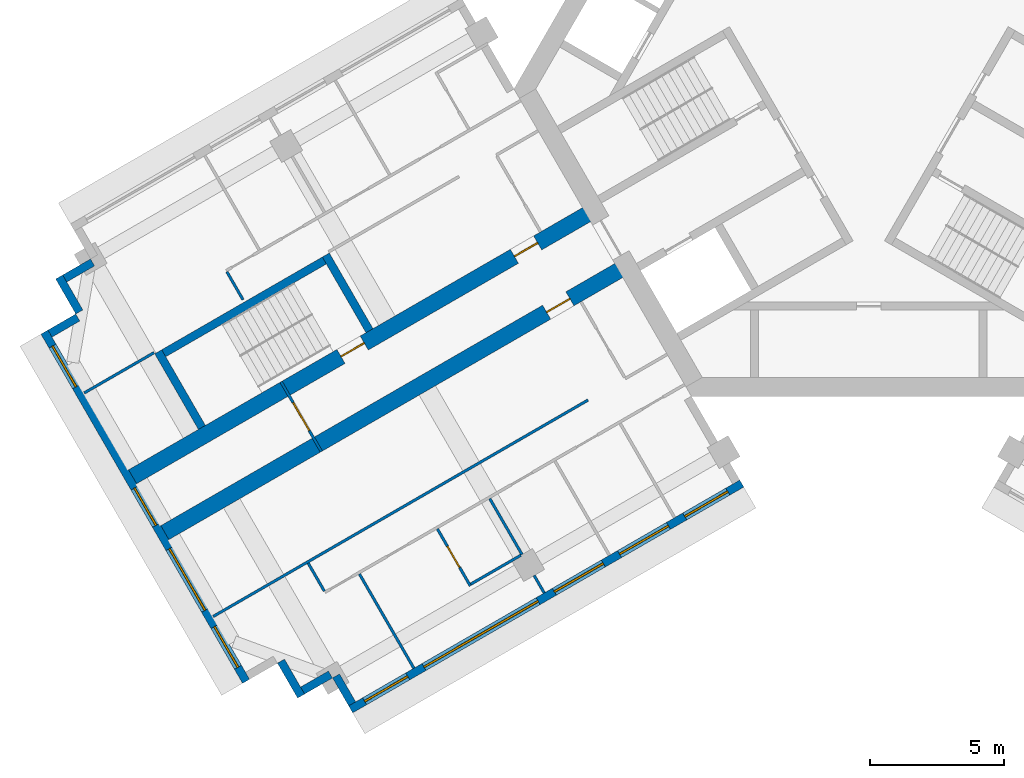
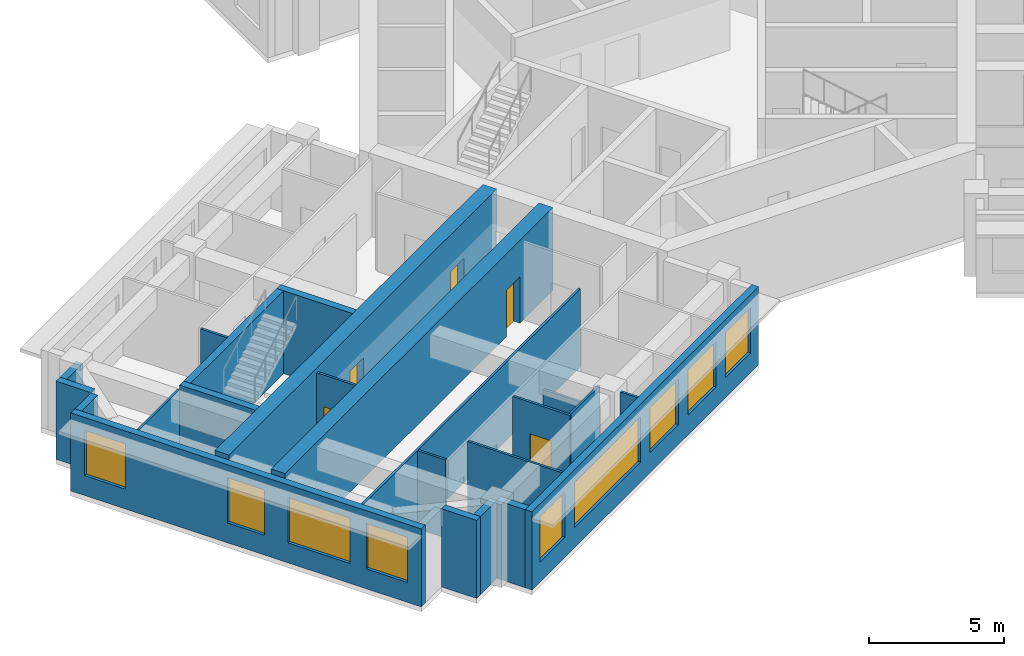
# One storey, part 2 of 10: 23 walls, 9 windows, 5 doors, 14 openings.
"""IFC4 building model written with IfcOpenShell, lengths in metres."""

from ifc_helpers import new_model, si_unit, direction, frame, frame_2d, origin, place, context, subcontext, project, spatial, rectangle, extrude, material, layer, layer_set, type_object, element, fill, save


model = new_model("IFC4")

# Units and contexts
model_context = context("Model", 3, precision=1e-05, world=origin(), true_north=direction((0.0, 1.0)))
body_context = subcontext(model_context, "Body", "Model", "MODEL_VIEW")
ifc_project = project(units=[si_unit("LENGTHUNIT", "METRE"), si_unit("AREAUNIT", "SQUARE_METRE"), si_unit("VOLUMEUNIT", "CUBIC_METRE"), si_unit("PLANEANGLEUNIT", "RADIAN"), si_unit("MASSUNIT", "GRAM", prefix="KILO")], contexts=[model_context])

# Site, building, storey
site_placement = place(None, origin())
site = spatial("IfcSite", under=ifc_project, at=site_placement, CompositionType="ELEMENT")
building_placement = place(site_placement, origin())
building = spatial("IfcBuilding", under=site, at=building_placement, Name="Impinga Residences", CompositionType="ELEMENT")
storey_placement = place(building_placement, frame((0.0, 0.0, 259.75)))
storey = spatial("IfcBuildingStorey", under=building, at=storey_placement, Name="L65", CompositionType="ELEMENT", Elevation=259.75)

# Wall, opening, door
ifc_material_1 = material(Name="Concrete C60/75", Category="concrete")
ifc_layer_1 = layer(ifc_material_1, 0.60009765625)
ifc_layer_set_1 = layer_set([ifc_layer_1], Name="Concrete C60/75")
wall_type_1 = type_object("IfcWallType", Name="BW3 corridor buttress wall, L46 to L73 600", PredefinedType="SHEAR", material=ifc_layer_set_1)
wall_1_placement = place(storey_placement, frame((-8.996826171875, -6.580078125, 0.0), z_axis=(0.0, 0.0, 1.0), x_axis=(-0.866030540451, -0.499991102927, 0.0)))
wall_1 = element("IfcWall", 1, at=wall_1_placement, inside=storey, type_object=wall_type_1, Name="Corridor wall BW3 WC L65", PredefinedType="SHEAR", context=body_context, shape_type="SweptSolid", body=[
    extrude(rectangle(XDim=19.849853515625, YDim=0.60009765625, at=frame_2d((9.9248046875, 0.0))), origin(), (0.0, 0.0, 1.0), 3.75),
])
opening_1_placement = place(wall_1_placement, frame((2.449951171875, 0.0, 0.0)))
opening_1 = element("IfcOpeningElement", 2, at=opening_1_placement, cuts=wall_1, Name="Opening D1", PredefinedType="OPENING", context=body_context, shape_type="SweptSolid", body=[
    extrude(rectangle(XDim=1.0, YDim=2.10009765625, at=frame_2d((0.5, 1.050048828125))), frame((0.0, 0.31005859375, 0.0), z_axis=(0.0, -1.0, 0.0), x_axis=(1.0, 0.0, 0.0)), (0.0, 0.0, 1.0), 0.6201171875),
])
ifc_material_2 = material(Name="Timber door set", Category="wood")
door_type_1 = type_object("IfcDoorType", Name="D1 apartment entrance door 1000x2100", OperationType="SINGLE_SWING_LEFT", PredefinedType="DOOR", material=ifc_material_2)
door_1_placement = place(opening_1_placement, origin())
door_1 = element("IfcDoor", 3, at=door_1_placement, inside=storey, type_object=door_type_1, Name="Apartment L65-WA1 entrance", OperationType="SINGLE_SWING_LEFT", OverallHeight=2.10009765625, OverallWidth=1.0, PredefinedType="DOOR", context=body_context, shape_type="SweptSolid", body=[
    extrude(rectangle(XDim=1.0, YDim=2.10009765625, at=frame_2d((0.5, 1.050048828125))), frame((0.0, 0.02490234375, 0.0), z_axis=(0.0, -1.0, 0.0), x_axis=(1.0, 0.0, 0.0)), (0.0, 0.0, 1.0), 0.050048828125),
])
fill(opening_1, door_1)

# Wall, openings, doors
wall_2_placement = place(storey_placement, frame((-10.19677734375, -4.50146484375, 0.0), z_axis=(0.0, 0.0, 1.0), x_axis=(-0.866025214745, -0.500000327426, 0.0)))
wall_2 = element("IfcWall", 4, at=wall_2_placement, inside=storey, type_object=wall_type_1, Name="Corridor wall BW3 WD L65", PredefinedType="SHEAR", context=body_context, shape_type="SweptSolid", body=[
    extrude(rectangle(XDim=19.85009765625, YDim=0.60009765625, at=frame_2d((9.925048828125, 0.0))), origin(), (0.0, 0.0, 1.0), 3.75),
])
opening_2_placement = place(wall_2_placement, frame((9.89990234375, 0.0, 0.0)))
opening_2 = element("IfcOpeningElement", 5, at=opening_2_placement, cuts=wall_2, Name="Opening D5", PredefinedType="OPENING", context=body_context, shape_type="SweptSolid", body=[
    extrude(rectangle(XDim=1.0, YDim=2.10009765625, at=frame_2d((0.5, 1.050048828125))), frame((0.0, 0.31005859375, 0.0), z_axis=(0.0, -1.0, 0.0), x_axis=(1.0, 0.0, 0.0)), (0.0, 0.0, 1.0), 0.6201171875),
])
opening_3_placement = place(wall_2_placement, frame((2.449951171875, 0.0, 0.0)))
opening_3 = element("IfcOpeningElement", 6, at=opening_3_placement, cuts=wall_2, Name="Opening D1", PredefinedType="OPENING", context=body_context, shape_type="SweptSolid", body=[
    extrude(rectangle(XDim=1.0, YDim=2.10009765625, at=frame_2d((0.5, 1.050048828125))), frame((0.0, 0.31005859375, 0.0), z_axis=(0.0, -1.0, 0.0), x_axis=(1.0, 0.0, 0.0)), (0.0, 0.0, 1.0), 0.6201171875),
])
door_2_placement = place(opening_3_placement, origin())
door_2 = element("IfcDoor", 7, at=door_2_placement, inside=storey, type_object=door_type_1, Name="Apartment L65-WF1 entrance", OperationType="SINGLE_SWING_LEFT", OverallHeight=2.10009765625, OverallWidth=1.0, PredefinedType="DOOR", context=body_context, shape_type="SweptSolid", body=[
    extrude(rectangle(XDim=1.0, YDim=2.10009765625, at=frame_2d((0.5, 1.050048828125))), frame((0.0, 0.02490234375, 0.0), z_axis=(0.0, -1.0, 0.0), x_axis=(1.0, 0.0, 0.0)), (0.0, 0.0, 1.0), 0.050048828125),
])
fill(opening_3, door_2)
door_type_2 = type_object("IfcDoorType", Name="D5 stair door 1000x2100", OperationType="SINGLE_SWING_LEFT", PredefinedType="DOOR", material=ifc_material_2)
door_3_placement = place(opening_2_placement, origin())
door_3 = element("IfcDoor", 8, at=door_3_placement, inside=storey, type_object=door_type_2, Name="Wing stair door W", OperationType="SINGLE_SWING_RIGHT", OverallHeight=2.10009765625, OverallWidth=1.0, PredefinedType="DOOR", context=body_context, shape_type="SweptSolid", body=[
    extrude(rectangle(XDim=1.0, YDim=2.10009765625, at=frame_2d((0.5, 1.050048828125))), frame((0.0, 0.02490234375, 0.0), z_axis=(0.0, -1.0, 0.0), x_axis=(1.0, 0.0, 0.0)), (0.0, 0.0, 1.0), 0.050048828125),
])
fill(opening_2, door_3)

# Wall, opening, door
ifc_material_3 = material(Name="Concrete blockwork", Category="masonry")
ifc_layer_2 = layer(ifc_material_3, 0.10009765625)
ifc_layer_set_2 = layer_set([ifc_layer_2], Name="CP1 core room partition, blockwork 100")
wall_type_2 = type_object("IfcWallType", Name="CP1 core room partition, blockwork 100", PredefinedType="PARTITIONING", material=ifc_layer_set_2)
wall_3_placement = place(storey_placement, frame((-20.364990234375, -13.48974609375, 0.0), z_axis=(0.0, 0.0, 1.0), x_axis=(-0.50002537861, 0.866010750942, 0.0)))
wall_3 = element("IfcWall", 9, at=wall_3_placement, inside=storey, type_object=wall_type_2, Name="Core room partition, blockwork L65:W:LNG", PredefinedType="PARTITIONING", context=body_context, shape_type="SweptSolid", body=[
    extrude(rectangle(XDim=2.999755859375, YDim=0.10009765625, at=frame_2d((1.5, 0.0))), origin(), (0.0, 0.0, 1.0), 3.530029296875),
])
opening_4_placement = place(wall_3_placement, frame((0.89990234375, 0.0, 0.0)))
opening_4 = element("IfcOpeningElement", 10, at=opening_4_placement, cuts=wall_3, Name="Opening D3", PredefinedType="OPENING", context=body_context, shape_type="SweptSolid", body=[
    extrude(rectangle(XDim=1.199951171875, YDim=2.10009765625, at=frame_2d((0.60009765625, 1.050048828125))), frame((0.0, 0.06005859375, 0.0), z_axis=(0.0, -1.0, 0.0), x_axis=(1.0, 0.0, 0.0)), (0.0, 0.0, 1.0), 0.1201171875),
])
door_type_3 = type_object("IfcDoorType", Name="D3 room door, leaf and a half 1200x2100", OperationType="DOUBLE_SWING_LEFT", PredefinedType="DOOR", material=ifc_material_2)
door_4_placement = place(opening_4_placement, origin())
door_4 = element("IfcDoor", 11, at=door_4_placement, inside=storey, type_object=door_type_3, Name="Residents' lounge door W", OperationType="DOUBLE_SWING_LEFT", OverallHeight=2.10009765625, OverallWidth=1.199951171875, PredefinedType="DOOR", context=body_context, shape_type="SweptSolid", body=[
    extrude(rectangle(XDim=1.199951171875, YDim=2.10009765625, at=frame_2d((0.60009765625, 1.050048828125))), frame((0.0, 0.02490234375, 0.0), z_axis=(0.0, -1.0, 0.0), x_axis=(1.0, 0.0, 0.0)), (0.0, 0.0, 1.0), 0.050048828125),
])
fill(opening_4, door_4)

# Walls
ifc_material_4 = material(Name="Terracotta rainscreen on blockwork", Category="masonry")
ifc_layer_3 = layer(ifc_material_4, 0.300048828125)
ifc_layer_set_3 = layer_set([ifc_layer_3], Name="EW1 external wall, terracotta rainscreen on blockwork 300")
wall_type_3 = type_object("IfcWallType", Name="EW1 external wall, terracotta rainscreen on blockwork 300", PredefinedType="SOLIDWALL", material=ifc_layer_set_3)
wall_4_placement = place(storey_placement, frame((-19.21923828125, -22.874267578125, 0.0), z_axis=(0.0, 0.0, 1.0), x_axis=(-0.500033551112, 0.866006032174, 0.0)))
element("IfcWall", 12, at=wall_4_placement, inside=storey, type_object=wall_type_3, Name="External wall EW1 L65", PredefinedType="SOLIDWALL", context=body_context, shape_type="SweptSolid", body=[
    extrude(rectangle(XDim=1.2001953125, YDim=0.300048828125, at=frame_2d((0.60009765625, 0.0))), origin(), (0.0, 0.0, 1.0), 3.530029296875),
])
wall_5_placement = place(storey_placement, frame((-20.028564453125, -21.782470703125, 0.0), z_axis=(0.0, 0.0, 1.0), x_axis=(-0.865971243484, -0.500093796661, 0.0)))
element("IfcWall", 13, at=wall_5_placement, inside=storey, type_object=wall_type_3, Name="External wall EW1 L65", PredefinedType="SOLIDWALL", context=body_context, shape_type="SweptSolid", body=[
    extrude(rectangle(XDim=1.195068359375, YDim=0.300048828125, at=frame_2d((0.59765625, 0.0))), origin(), (0.0, 0.0, 1.0), 3.530029296875),
])
wall_6_placement = place(storey_placement, frame((-21.118408203125, -22.5849609375, 0.0), z_axis=(0.0, 0.0, 1.0), x_axis=(-0.499990139034, 0.866031096941, 0.0)))
element("IfcWall", 14, at=wall_6_placement, inside=storey, type_object=wall_type_3, Name="External wall EW1 L65", PredefinedType="SOLIDWALL", context=body_context, shape_type="SweptSolid", body=[
    extrude(rectangle(XDim=1.5, YDim=0.300048828125, at=frame_2d((0.75, 0.0))), origin(), (0.0, 0.0, 1.0), 3.530029296875),
])

# Wall, openings, windows
wall_7_placement = place(storey_placement, frame((-23.16748046875, -22.035888671875, 0.0), z_axis=(0.0, 0.0, 1.0), x_axis=(-0.500004234368, 0.866022959057, 0.0)))
wall_7 = element("IfcWall", 15, at=wall_7_placement, inside=storey, type_object=wall_type_3, Name="External wall EW1 L65", PredefinedType="SOLIDWALL", context=body_context, shape_type="SweptSolid", body=[
    extrude(rectangle(XDim=14.999755859375, YDim=0.300048828125, at=frame_2d((7.5, 0.0))), origin(), (0.0, 0.0, 1.0), 3.530029296875),
])
opening_5_placement = place(wall_7_placement, frame((0.60009765625, 0.0, 0.89990234375)))
opening_5 = element("IfcOpeningElement", 16, at=opening_5_placement, cuts=wall_7, Name="Opening W1", PredefinedType="OPENING", context=body_context, shape_type="SweptSolid", body=[
    extrude(rectangle(XDim=1.75, YDim=2.050048828125, at=frame_2d((0.875, 1.02490234375))), frame((0.0, 0.159912109375, 0.0), z_axis=(0.0, -1.0, 0.0), x_axis=(1.0, 0.0, 0.0)), (0.0, 0.0, 1.0), 0.320068359375),
])
opening_6_placement = place(wall_7_placement, frame((3.050048828125, 0.0, 0.89990234375)))
opening_6 = element("IfcOpeningElement", 17, at=opening_6_placement, cuts=wall_7, Name="Opening W18", PredefinedType="OPENING", context=body_context, shape_type="SweptSolid", body=[
    extrude(rectangle(XDim=2.64990234375, YDim=2.050048828125, at=frame_2d((1.324951171875, 1.02490234375))), frame((0.0, 0.159912109375, 0.0), z_axis=(0.0, -1.0, 0.0), x_axis=(1.0, 0.0, 0.0)), (0.0, 0.0, 1.0), 0.320068359375),
])
opening_7_placement = place(wall_7_placement, frame((6.699951171875, 0.0, 0.89990234375)))
opening_7 = element("IfcOpeningElement", 18, at=opening_7_placement, cuts=wall_7, Name="Opening W19", PredefinedType="OPENING", context=body_context, shape_type="SweptSolid", body=[
    extrude(rectangle(XDim=1.60009765625, YDim=2.050048828125, at=frame_2d((0.800048828125, 1.02490234375))), frame((0.0, 0.159912109375, 0.0), z_axis=(0.0, -1.0, 0.0), x_axis=(1.0, 0.0, 0.0)), (0.0, 0.0, 1.0), 0.320068359375),
])
opening_8_placement = place(wall_7_placement, frame((12.64990234375, 0.0, 0.89990234375)))
opening_8 = element("IfcOpeningElement", 19, at=opening_8_placement, cuts=wall_7, Name="Opening W1", PredefinedType="OPENING", context=body_context, shape_type="SweptSolid", body=[
    extrude(rectangle(XDim=1.75, YDim=2.050048828125, at=frame_2d((0.875, 1.02490234375))), frame((0.0, 0.159912109375, 0.0), z_axis=(0.0, -1.0, 0.0), x_axis=(1.0, 0.0, 0.0)), (0.0, 0.0, 1.0), 0.320068359375),
])
ifc_material_5 = material(Name="Aluminium window, clear double glazing", Category="aluminium")
window_type_1 = type_object("IfcWindowType", Name="W1 ribbon window 1750x2050", PartitioningType="SINGLE_PANEL", PredefinedType="WINDOW", material=ifc_material_5)
window_1_placement = place(opening_5_placement, origin())
window_1 = element("IfcWindow", 20, at=window_1_placement, inside=storey, type_object=window_type_1, Name="Window L65", OverallHeight=2.050048828125, OverallWidth=1.75, PartitioningType="SINGLE_PANEL", PredefinedType="WINDOW", context=body_context, shape_type="SweptSolid", body=[
    extrude(rectangle(XDim=1.75, YDim=2.050048828125, at=frame_2d((0.875, 1.02490234375))), frame((0.0, 0.030029296875, 0.0), z_axis=(0.0, -1.0, 0.0), x_axis=(1.0, 0.0, 0.0)), (0.0, 0.0, 1.0), 0.06005859375),
])
fill(opening_5, window_1)
window_2_placement = place(opening_8_placement, origin())
window_2 = element("IfcWindow", 21, at=window_2_placement, inside=storey, type_object=window_type_1, Name="Window L65", OverallHeight=2.050048828125, OverallWidth=1.75, PartitioningType="SINGLE_PANEL", PredefinedType="WINDOW", context=body_context, shape_type="SweptSolid", body=[
    extrude(rectangle(XDim=1.75, YDim=2.050048828125, at=frame_2d((0.875, 1.02490234375))), frame((0.0, 0.030029296875, 0.0), z_axis=(0.0, -1.0, 0.0), x_axis=(1.0, 0.0, 0.0)), (0.0, 0.0, 1.0), 0.06005859375),
])
fill(opening_8, window_2)
window_type_2 = type_object("IfcWindowType", Name="W18 ribbon window 2650x2050", PartitioningType="SINGLE_PANEL", PredefinedType="WINDOW", material=ifc_material_5)
window_3_placement = place(opening_6_placement, origin())
window_3 = element("IfcWindow", 22, at=window_3_placement, inside=storey, type_object=window_type_2, Name="Window L65", OverallHeight=2.050048828125, OverallWidth=2.64990234375, PartitioningType="SINGLE_PANEL", PredefinedType="WINDOW", context=body_context, shape_type="SweptSolid", body=[
    extrude(rectangle(XDim=2.64990234375, YDim=2.050048828125, at=frame_2d((1.324951171875, 1.02490234375))), frame((0.0, 0.030029296875, 0.0), z_axis=(0.0, -1.0, 0.0), x_axis=(1.0, 0.0, 0.0)), (0.0, 0.0, 1.0), 0.06005859375),
])
fill(opening_6, window_3)
window_type_3 = type_object("IfcWindowType", Name="W19 ribbon window 1600x2050", PartitioningType="SINGLE_PANEL", PredefinedType="WINDOW", material=ifc_material_5)
window_4_placement = place(opening_7_placement, origin())
window_4 = element("IfcWindow", 23, at=window_4_placement, inside=storey, type_object=window_type_3, Name="Window L65", OverallHeight=2.050048828125, OverallWidth=1.60009765625, PartitioningType="SINGLE_PANEL", PredefinedType="WINDOW", context=body_context, shape_type="SweptSolid", body=[
    extrude(rectangle(XDim=1.60009765625, YDim=2.050048828125, at=frame_2d((0.800048828125, 1.02490234375))), frame((0.0, 0.030029296875, 0.0), z_axis=(0.0, -1.0, 0.0), x_axis=(1.0, 0.0, 0.0)), (0.0, 0.0, 1.0), 0.06005859375),
])
fill(opening_7, window_4)

# Walls
wall_8_placement = place(storey_placement, frame((-30.46240234375, -9.1005859375, 0.0), z_axis=(0.0, 0.0, 1.0), x_axis=(0.865971243484, 0.500093796661, 0.0)))
element("IfcWall", 24, at=wall_8_placement, inside=storey, type_object=wall_type_3, Name="External wall EW1 L65", PredefinedType="SOLIDWALL", context=body_context, shape_type="SweptSolid", body=[
    extrude(rectangle(XDim=1.195068359375, YDim=0.300048828125, at=frame_2d((0.59765625, 0.0))), origin(), (0.0, 0.0, 1.0), 3.530029296875),
])
wall_9_placement = place(storey_placement, frame((-29.368408203125, -8.295654296875, 0.0), z_axis=(0.0, 0.0, 1.0), x_axis=(-0.499990139034, 0.866031096941, 0.0)))
element("IfcWall", 25, at=wall_9_placement, inside=storey, type_object=wall_type_3, Name="External wall EW1 L65", PredefinedType="SOLIDWALL", context=body_context, shape_type="SweptSolid", body=[
    extrude(rectangle(XDim=1.5, YDim=0.300048828125, at=frame_2d((0.75, 0.0))), origin(), (0.0, 0.0, 1.0), 3.530029296875),
])
wall_10_placement = place(storey_placement, frame((-29.91357421875, -7.051513671875, 0.0), z_axis=(0.0, 0.0, 1.0), x_axis=(0.865971243484, 0.500093796661, 0.0)))
element("IfcWall", 26, at=wall_10_placement, inside=storey, type_object=wall_type_3, Name="External wall EW1 L65", PredefinedType="SOLIDWALL", context=body_context, shape_type="SweptSolid", body=[
    extrude(rectangle(XDim=1.195068359375, YDim=0.300048828125, at=frame_2d((0.59765625, 0.0))), origin(), (0.0, 0.0, 1.0), 3.530029296875),
])

# Wall, openings, windows
wall_11_placement = place(storey_placement, frame((-4.72509765625, -14.67919921875, 0.0), z_axis=(0.0, 0.0, 1.0), x_axis=(-0.86602562146, -0.499999622975, 0.0)))
wall_11 = element("IfcWall", 27, at=wall_11_placement, inside=storey, type_object=wall_type_3, Name="External wall EW1 L65", PredefinedType="SOLIDWALL", context=body_context, shape_type="SweptSolid", body=[
    extrude(rectangle(XDim=16.7998046875, YDim=0.300048828125, at=frame_2d((8.39990234375, 0.0))), origin(), (0.0, 0.0, 1.0), 3.530029296875),
])
opening_9_placement = place(wall_11_placement, frame((0.60009765625, 0.0, 0.89990234375)))
opening_9 = element("IfcOpeningElement", 28, at=opening_9_placement, cuts=wall_11, Name="Opening W15", PredefinedType="OPENING", context=body_context, shape_type="SweptSolid", body=[
    extrude(rectangle(XDim=1.85009765625, YDim=2.050048828125, at=frame_2d((0.925048828125, 1.02490234375))), frame((0.0, 0.159912109375, 0.0), z_axis=(0.0, -1.0, 0.0), x_axis=(1.0, 0.0, 0.0)), (0.0, 0.0, 1.0), 0.320068359375),
])
opening_10_placement = place(wall_11_placement, frame((3.14990234375, 0.0, 0.89990234375)))
opening_10 = element("IfcOpeningElement", 29, at=opening_10_placement, cuts=wall_11, Name="Opening W9", PredefinedType="OPENING", context=body_context, shape_type="SweptSolid", body=[
    extrude(rectangle(XDim=2.10009765625, YDim=2.050048828125, at=frame_2d((1.050048828125, 1.02490234375))), frame((0.0, 0.159912109375, 0.0), z_axis=(0.0, -1.0, 0.0), x_axis=(1.0, 0.0, 0.0)), (0.0, 0.0, 1.0), 0.320068359375),
])
opening_11_placement = place(wall_11_placement, frame((5.949951171875, 0.0, 0.89990234375)))
opening_11 = element("IfcOpeningElement", 30, at=opening_11_placement, cuts=wall_11, Name="Opening W9", PredefinedType="OPENING", context=body_context, shape_type="SweptSolid", body=[
    extrude(rectangle(XDim=2.10009765625, YDim=2.050048828125, at=frame_2d((1.050048828125, 1.02490234375))), frame((0.0, 0.159912109375, 0.0), z_axis=(0.0, -1.0, 0.0), x_axis=(1.0, 0.0, 0.0)), (0.0, 0.0, 1.0), 0.320068359375),
])
opening_12_placement = place(wall_11_placement, frame((8.75, 0.0, 0.89990234375)))
opening_12 = element("IfcOpeningElement", 31, at=opening_12_placement, cuts=wall_11, Name="Opening W16", PredefinedType="OPENING", context=body_context, shape_type="SweptSolid", body=[
    extrude(rectangle(XDim=4.89990234375, YDim=2.050048828125, at=frame_2d((2.449951171875, 1.02490234375))), frame((0.0, 0.159912109375, 0.0), z_axis=(0.0, -1.0, 0.0), x_axis=(1.0, 0.0, 0.0)), (0.0, 0.0, 1.0), 0.320068359375),
])
opening_13_placement = place(wall_11_placement, frame((14.35009765625, 0.0, 0.89990234375)))
opening_13 = element("IfcOpeningElement", 32, at=opening_13_placement, cuts=wall_11, Name="Opening W15", PredefinedType="OPENING", context=body_context, shape_type="SweptSolid", body=[
    extrude(rectangle(XDim=1.85009765625, YDim=2.050048828125, at=frame_2d((0.925048828125, 1.02490234375))), frame((0.0, 0.159912109375, 0.0), z_axis=(0.0, -1.0, 0.0), x_axis=(1.0, 0.0, 0.0)), (0.0, 0.0, 1.0), 0.320068359375),
])
window_type_4 = type_object("IfcWindowType", Name="W15 ribbon window 1850x2050", PartitioningType="SINGLE_PANEL", PredefinedType="WINDOW", material=ifc_material_5)
window_5_placement = place(opening_9_placement, origin())
window_5 = element("IfcWindow", 33, at=window_5_placement, inside=storey, type_object=window_type_4, Name="Window L65", OverallHeight=2.050048828125, OverallWidth=1.85009765625, PartitioningType="SINGLE_PANEL", PredefinedType="WINDOW", context=body_context, shape_type="SweptSolid", body=[
    extrude(rectangle(XDim=1.85009765625, YDim=2.050048828125, at=frame_2d((0.925048828125, 1.02490234375))), frame((0.0, 0.030029296875, 0.0), z_axis=(0.0, -1.0, 0.0), x_axis=(1.0, 0.0, 0.0)), (0.0, 0.0, 1.0), 0.06005859375),
])
fill(opening_9, window_5)
window_6_placement = place(opening_13_placement, origin())
window_6 = element("IfcWindow", 34, at=window_6_placement, inside=storey, type_object=window_type_4, Name="Window L65", OverallHeight=2.050048828125, OverallWidth=1.85009765625, PartitioningType="SINGLE_PANEL", PredefinedType="WINDOW", context=body_context, shape_type="SweptSolid", body=[
    extrude(rectangle(XDim=1.85009765625, YDim=2.050048828125, at=frame_2d((0.925048828125, 1.02490234375))), frame((0.0, 0.030029296875, 0.0), z_axis=(0.0, -1.0, 0.0), x_axis=(1.0, 0.0, 0.0)), (0.0, 0.0, 1.0), 0.06005859375),
])
fill(opening_13, window_6)
window_type_5 = type_object("IfcWindowType", Name="W16 ribbon window 4900x2050", PartitioningType="SINGLE_PANEL", PredefinedType="WINDOW", material=ifc_material_5)
window_7_placement = place(opening_12_placement, origin())
window_7 = element("IfcWindow", 35, at=window_7_placement, inside=storey, type_object=window_type_5, Name="Window L65", OverallHeight=2.050048828125, OverallWidth=4.89990234375, PartitioningType="SINGLE_PANEL", PredefinedType="WINDOW", context=body_context, shape_type="SweptSolid", body=[
    extrude(rectangle(XDim=4.89990234375, YDim=2.050048828125, at=frame_2d((2.449951171875, 1.02490234375))), frame((0.0, 0.030029296875, 0.0), z_axis=(0.0, -1.0, 0.0), x_axis=(1.0, 0.0, 0.0)), (0.0, 0.0, 1.0), 0.06005859375),
])
fill(opening_12, window_7)
window_type_6 = type_object("IfcWindowType", Name="W9 ribbon window 2100x2050", PartitioningType="SINGLE_PANEL", PredefinedType="WINDOW", material=ifc_material_5)
window_8_placement = place(opening_10_placement, origin())
window_8 = element("IfcWindow", 36, at=window_8_placement, inside=storey, type_object=window_type_6, Name="Window L65", OverallHeight=2.050048828125, OverallWidth=2.10009765625, PartitioningType="SINGLE_PANEL", PredefinedType="WINDOW", context=body_context, shape_type="SweptSolid", body=[
    extrude(rectangle(XDim=2.10009765625, YDim=2.050048828125, at=frame_2d((1.050048828125, 1.02490234375))), frame((0.0, 0.030029296875, 0.0), z_axis=(0.0, -1.0, 0.0), x_axis=(1.0, 0.0, 0.0)), (0.0, 0.0, 1.0), 0.06005859375),
])
fill(opening_10, window_8)
window_9_placement = place(opening_11_placement, origin())
window_9 = element("IfcWindow", 37, at=window_9_placement, inside=storey, type_object=window_type_6, Name="Window L65", OverallHeight=2.050048828125, OverallWidth=2.10009765625, PartitioningType="SINGLE_PANEL", PredefinedType="WINDOW", context=body_context, shape_type="SweptSolid", body=[
    extrude(rectangle(XDim=2.10009765625, YDim=2.050048828125, at=frame_2d((1.050048828125, 1.02490234375))), frame((0.0, 0.030029296875, 0.0), z_axis=(0.0, -1.0, 0.0), x_axis=(1.0, 0.0, 0.0)), (0.0, 0.0, 1.0), 0.06005859375),
])
fill(opening_11, window_9)

# Walls
ifc_material_6 = material(Name="Gypsum board on steel studs", Category="steel")
ifc_layer_4 = layer(ifc_material_6, 0.10009765625)
ifc_layer_set_4 = layer_set([ifc_layer_4], Name="Gypsum board on steel studs")
wall_type_4 = type_object("IfcWallType", Name="IP1 partition 100", PredefinedType="PARTITIONING", material=ifc_layer_set_4)
wall_12_placement = place(storey_placement, frame((-10.444580078125, -11.57275390625, 0.0), z_axis=(0.0, 0.0, 1.0), x_axis=(-0.866021949085, -0.500005983666, 0.0)))
element("IfcWall", 38, at=wall_12_placement, inside=storey, type_object=wall_type_4, Name="Partition L65-WA1:DIV1", PredefinedType="PARTITIONING", context=body_context, shape_type="SweptSolid", body=[
    extrude(rectangle(XDim=16.099853515625, YDim=0.10009765625, at=frame_2d((8.0498046875, 0.0))), origin(), (0.0, 0.0, 1.0), 3.530029296875),
])
wall_13_placement = place(storey_placement, frame((-20.85498046875, -17.640869140625, 0.0), z_axis=(0.0, 0.0, 1.0), x_axis=(0.499880961361, -0.866094119867, 0.0)))
element("IfcWall", 39, at=wall_13_placement, inside=storey, type_object=wall_type_4, Name="Partition L65-WA1:SE1", PredefinedType="PARTITIONING", context=body_context, shape_type="SweptSolid", body=[
    extrude(rectangle(XDim=1.199951171875, YDim=0.10009765625, at=frame_2d((0.60009765625, 0.0))), origin(), (0.0, 0.0, 1.0), 3.530029296875),
])
wall_14_placement = place(storey_placement, frame((-14.099609375, -15.241943359375, 0.0), z_axis=(0.0, 0.0, 1.0), x_axis=(0.500001309137, -0.866024647952, 0.0)))
element("IfcWall", 40, at=wall_14_placement, inside=storey, type_object=wall_type_4, Name="Partition L65-WA1:OB3", PredefinedType="PARTITIONING", context=body_context, shape_type="SweptSolid", body=[
    extrude(rectangle(XDim=2.39990234375, YDim=0.10009765625, at=frame_2d((1.199951171875, 0.0))), origin(), (0.0, 0.0, 1.0), 2.47998046875),
])
wall_15_placement = place(storey_placement, frame((-12.44970703125, -18.099609375, 0.0), z_axis=(0.0, 0.0, 1.0), x_axis=(0.499919672301, -0.866071776036, 0.0)))
element("IfcWall", 41, at=wall_15_placement, inside=storey, type_object=wall_type_4, Name="Partition L65-WA1:OB3b", PredefinedType="PARTITIONING", context=body_context, shape_type="SweptSolid", body=[
    extrude(rectangle(XDim=0.75, YDim=0.10009765625, at=frame_2d((0.375, 0.0))), origin(), (0.0, 0.0, 1.0), 3.530029296875),
])
wall_16_placement = place(storey_placement, frame((-18.949462890625, -18.041748046875, 0.0), z_axis=(0.0, 0.0, 1.0), x_axis=(0.50000943426, -0.866019956843, 0.0)))
element("IfcWall", 42, at=wall_16_placement, inside=storey, type_object=wall_type_4, Name="Partition L65-WA1:OB4", PredefinedType="PARTITIONING", context=body_context, shape_type="SweptSolid", body=[
    extrude(rectangle(XDim=4.05029296875, YDim=0.10009765625, at=frame_2d((2.025146484375, 0.0))), origin(), (0.0, 0.0, 1.0), 3.530029296875),
])

# Wall, opening, door
wall_17_placement = place(storey_placement, frame((-16.048095703125, -16.366943359375, 0.0), z_axis=(0.0, 0.0, 1.0), x_axis=(0.499987006516, -0.866032905446, 0.0)))
wall_17 = element("IfcWall", 43, at=wall_17_placement, inside=storey, type_object=wall_type_4, Name="Partition L65-WA1:EN1", PredefinedType="PARTITIONING", context=body_context, shape_type="SweptSolid", body=[
    extrude(rectangle(XDim=2.44970703125, YDim=0.10009765625, at=frame_2d((1.224853515625, 0.0))), origin(), (0.0, 0.0, 1.0), 3.530029296875),
])
opening_14_placement = place(wall_17_placement, frame((0.75, 0.0, 0.0)))
opening_14 = element("IfcOpeningElement", 44, at=opening_14_placement, cuts=wall_17, Name="Opening D2", PredefinedType="OPENING", context=body_context, shape_type="SweptSolid", body=[
    extrude(rectangle(XDim=0.89990234375, YDim=2.10009765625, at=frame_2d((0.449951171875, 1.050048828125))), frame((0.0, 0.06005859375, 0.0), z_axis=(0.0, -1.0, 0.0), x_axis=(1.0, 0.0, 0.0)), (0.0, 0.0, 1.0), 0.1201171875),
])
door_type_4 = type_object("IfcDoorType", Name="D2 internal door 900x2100", OperationType="SINGLE_SWING_LEFT", PredefinedType="DOOR", material=ifc_material_2)
door_5_placement = place(opening_14_placement, origin())
door_5 = element("IfcDoor", 45, at=door_5_placement, inside=storey, type_object=door_type_4, Name="Apartment L65-WA1 en-suite door", OperationType="SINGLE_SWING_LEFT", OverallHeight=2.10009765625, OverallWidth=0.89990234375, PredefinedType="DOOR", context=body_context, shape_type="SweptSolid", body=[
    extrude(rectangle(XDim=0.89990234375, YDim=2.10009765625, at=frame_2d((0.449951171875, 1.050048828125))), frame((0.0, 0.02490234375, 0.0), z_axis=(0.0, -1.0, 0.0), x_axis=(1.0, 0.0, 0.0)), (0.0, 0.0, 1.0), 0.050048828125),
])
fill(opening_14, door_5)

# Walls
wall_18_placement = place(storey_placement, frame((-12.94287109375, -17.34521484375, 0.0), z_axis=(0.0, 0.0, 1.0), x_axis=(-0.866047553582, -0.499961633463, 0.0)))
element("IfcWall", 46, at=wall_18_placement, inside=storey, type_object=wall_type_4, Name="Partition L65-WA1:EN2", PredefinedType="PARTITIONING", context=body_context, shape_type="SweptSolid", body=[
    extrude(rectangle(XDim=2.150146484375, YDim=0.10009765625, at=frame_2d((1.0751953125, 0.0))), origin(), (0.0, 0.0, 1.0), 3.530029296875),
])
wall_19_placement = place(storey_placement, frame((-26.58935546875, -9.808837890625, 0.0), z_axis=(0.0, 0.0, 1.0), x_axis=(-0.866031096941, -0.499990139034, 0.0)))
element("IfcWall", 47, at=wall_19_placement, inside=storey, type_object=wall_type_4, Name="Partition L65-WF1:DIV2", PredefinedType="PARTITIONING", context=body_context, shape_type="SweptSolid", body=[
    extrude(rectangle(XDim=3.0, YDim=0.10009765625, at=frame_2d((1.5, 0.0))), origin(), (0.0, 0.0, 1.0), 3.530029296875),
])
wall_20_placement = place(storey_placement, frame((-23.2802734375, -7.840576171875, 0.0), z_axis=(0.0, 0.0, 1.0), x_axis=(-0.499880961361, 0.866094119867, 0.0)))
element("IfcWall", 48, at=wall_20_placement, inside=storey, type_object=wall_type_4, Name="Partition L65-WF1:SE1", PredefinedType="PARTITIONING", context=body_context, shape_type="SweptSolid", body=[
    extrude(rectangle(XDim=1.199951171875, YDim=0.10009765625, at=frame_2d((0.60009765625, 0.0))), origin(), (0.0, 0.0, 1.0), 3.530029296875),
])
ifc_layer_5 = layer(ifc_material_1, 0.300048828125)
ifc_layer_set_5 = layer_set([ifc_layer_5], Name="Concrete C60/75")
wall_type_5 = type_object("IfcWallType", Name="SE1 wing stair enclosure wall 300", PredefinedType="SOLIDWALL", material=ifc_layer_set_5)
for number, where, z_axis, x_axis, name in (
    (49, (-18.57421875, -8.99169921875, 0.0), (0.0, 0.0, 1.0), (-0.500017246033, 0.866015446554, 0.0), "Stair enclosure wall SE1 W END0 L65"),
    (50, (-24.8095703125, -12.591796875, 0.0), (0.0, 0.0, 1.0), (-0.499984717929, 0.866034226713, 0.0), "Stair enclosure wall SE1 W END1 L65"),
):
    element("IfcWall", number, at=place(storey_placement, frame(where, z_axis=z_axis, x_axis=x_axis)), inside=storey, type_object=wall_type_5, Name=name, PredefinedType="SOLIDWALL", context=body_context, shape_type="SweptSolid", body=[
        extrude(rectangle(XDim=3.25, YDim=0.300048828125, at=frame_2d((1.625, 0.0))), origin(), (0.0, 0.0, 1.0), 3.75),
    ])
wall_21_placement = place(storey_placement, frame((-20.254150390625, -6.382080078125, 0.0), z_axis=(0.0, 0.0, 1.0), x_axis=(-0.866020008033, -0.500009345598, 0.0)))
element("IfcWall", 51, at=wall_21_placement, inside=storey, type_object=wall_type_5, Name="Stair enclosure wall SE1 W OUT L65", PredefinedType="SOLIDWALL", context=body_context, shape_type="SweptSolid", body=[
    extrude(rectangle(XDim=6.899658203125, YDim=0.300048828125, at=frame_2d((3.44970703125, 0.0))), origin(), (0.0, 0.0, 1.0), 3.75),
])

save(model, "model.ifc")
